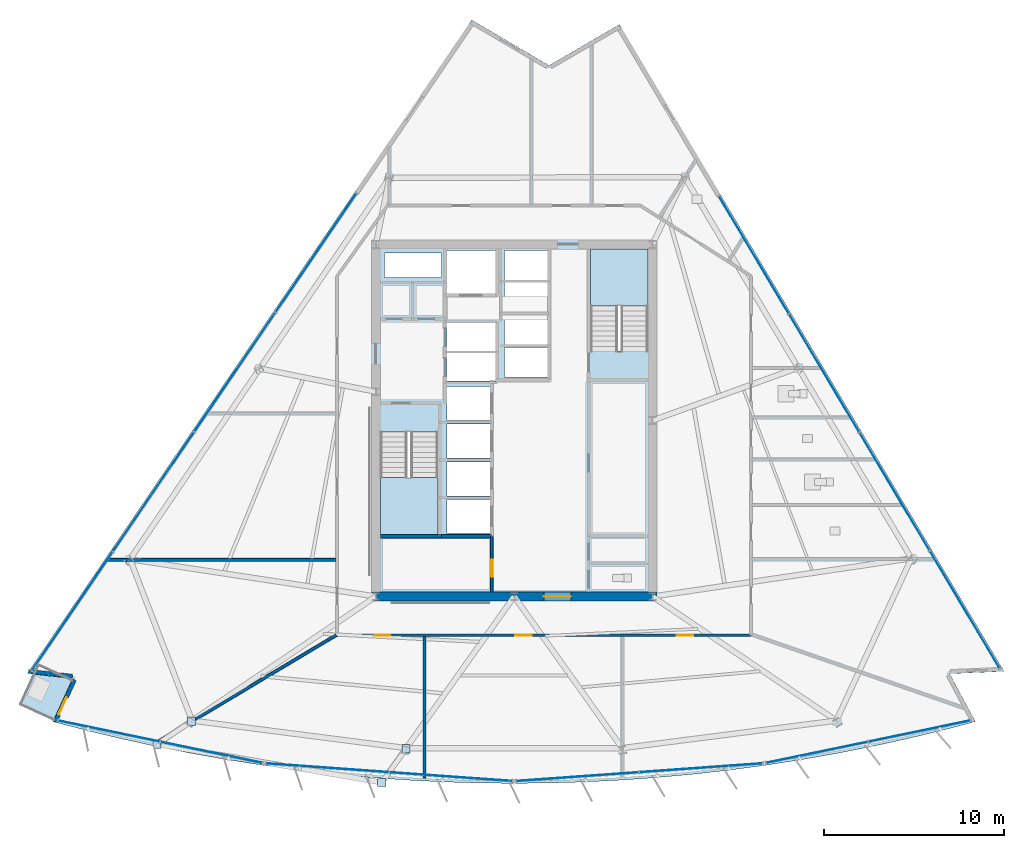
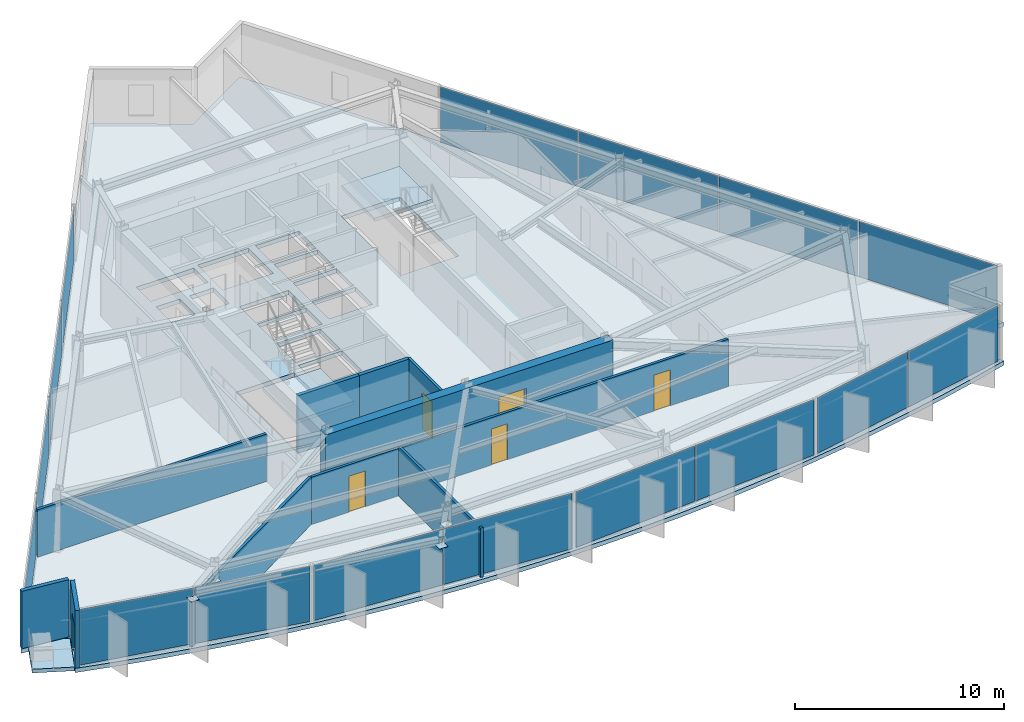
# One storey, part 7 of 15: 20 plates, 10 walls, 6 doors, 4 slabs, 6 openings, 8 elements without a shape of their own.
"""IFC4 building model written with IfcOpenShell, lengths in metres."""

from ifc_helpers import new_model, si_unit, direction, frame, frame_2d, origin, origin_2d, place, context, subcontext, project, spatial, polyline, rectangle, outline, extrude, material, layer, layer_set, type_object, element, fill, aggregate, save


model = new_model("IFC4")

# Units and contexts
model_context = context("Model", 3, precision=1e-05, world=origin(), true_north=direction((0.0, 1.0)))
body_context = subcontext(model_context, "Body", "Model", "MODEL_VIEW")
ifc_project = project(units=[si_unit("LENGTHUNIT", "METRE"), si_unit("AREAUNIT", "SQUARE_METRE"), si_unit("VOLUMEUNIT", "CUBIC_METRE"), si_unit("PLANEANGLEUNIT", "RADIAN"), si_unit("MASSUNIT", "GRAM", prefix="KILO")], contexts=[model_context])

# Site, building, storey
site_placement = place(None, origin())
site = spatial("IfcSite", under=ifc_project, at=site_placement, CompositionType="ELEMENT")
building_placement = place(site_placement, origin())
building = spatial("IfcBuilding", under=site, at=building_placement, Name="Savorim Split Tower", CompositionType="ELEMENT")
storey_placement = place(building_placement, frame((0.0, 0.0, 145.800048828125)))
storey = spatial("IfcBuildingStorey", under=building, at=storey_placement, Name="L38", CompositionType="ELEMENT", Elevation=145.800048828125)

# Curtain wall, plates
ifc_material_1 = material(Name="Dark Ceramic-Fritted Insulated Glass", Category="glass")
curtain_wall_type = type_object("IfcCurtainWallType", Name="CW-TWR-FRIT-A", PredefinedType="NOTDEFINED", material=ifc_material_1)
curtain_wall_1_placement = place(storey_placement, origin())
curtain_wall_1 = element("IfcCurtainWall", 1, at=curtain_wall_1_placement, inside=storey, type_object=curtain_wall_type, Name="L38 Curtain Wall CW-L38-SF1", PredefinedType="NOTDEFINED")
ifc_layer_1 = layer(ifc_material_1, 0.028076171875)
ifc_layer_set_1 = layer_set([ifc_layer_1], Name="CWP-FRITA-28")
plate_type_1 = type_object("IfcPlateType", Name="CWP-FRITA-28", PredefinedType="CURTAIN_PANEL", material=ifc_layer_set_1)
plate_1_placement = place(storey_placement, frame((-22.55322265625, -16.891357421875, 0.05517578125), z_axis=(0.0, 0.0, 1.0), x_axis=(0.979135184824, -0.203209964912, 0.0)))
plate_1 = element("IfcPlate", 2, at=plate_1_placement, type_object=plate_type_1, Name="CW-02 panel 1.1", PredefinedType="CURTAIN_PANEL", context=body_context, shape_type="SweptSolid", body=[
    extrude(rectangle(XDim=5.75390625, YDim=0.028076171875, at=origin_2d()), origin(), (0.0, 0.0, 1.0), 3.239990234375),
])
plate_2_placement = place(storey_placement, frame((-16.85595703125, -18.073974609375, 0.05517578125), z_axis=(0.0, 0.0, 1.0), x_axis=(0.979135184824, -0.203209964912, 0.0)))
plate_2 = element("IfcPlate", 3, at=plate_2_placement, type_object=plate_type_1, Name="CW-02 panel 2.1", PredefinedType="CURTAIN_PANEL", context=body_context, shape_type="SweptSolid", body=[
    extrude(rectangle(XDim=5.75390625, YDim=0.028076171875, at=origin_2d()), origin(), (0.0, 0.0, 1.0), 3.239990234375),
])
aggregate(curtain_wall_1, [plate_1, plate_2])

curtain_wall_2_placement = place(storey_placement, origin())
curtain_wall_2 = element("IfcCurtainWall", 4, at=curtain_wall_2_placement, inside=storey, type_object=curtain_wall_type, Name="L38 Curtain Wall CW-L38-SF2", PredefinedType="NOTDEFINED")
plate_3_placement = place(storey_placement, frame((-10.40087890625, -18.93505859375, 0.05517578125), z_axis=(0.0, 0.0, 1.0), x_axis=(0.997436231017, -0.071560918492, 0.0)))
plate_3 = element("IfcPlate", 5, at=plate_3_placement, type_object=plate_type_1, Name="CW-02 panel 1.1", PredefinedType="CURTAIN_PANEL", context=body_context, shape_type="SweptSolid", body=[
    extrude(rectangle(XDim=6.830810546875, YDim=0.028076171875, at=origin_2d()), origin(), (0.0, 0.0, 1.0), 3.239990234375),
])
plate_4_placement = place(storey_placement, frame((-3.522705078125, -19.428466796875, 0.05517578125), z_axis=(0.0, 0.0, 1.0), x_axis=(0.997436231017, -0.071560918492, 0.0)))
plate_4 = element("IfcPlate", 6, at=plate_4_placement, type_object=plate_type_1, Name="CW-02 panel 2.1", PredefinedType="CURTAIN_PANEL", context=body_context, shape_type="SweptSolid", body=[
    extrude(rectangle(XDim=6.830810546875, YDim=0.028076171875, at=origin_2d()), origin(), (0.0, 0.0, 1.0), 3.239990234375),
])
aggregate(curtain_wall_2, [plate_3, plate_4])

curtain_wall_3_placement = place(storey_placement, origin())
curtain_wall_3 = element("IfcCurtainWall", 7, at=curtain_wall_3_placement, inside=storey, type_object=curtain_wall_type, Name="L38 Curtain Wall CW-L38-SF3", PredefinedType="NOTDEFINED")
plate_5_placement = place(storey_placement, frame((3.522705078125, -19.428466796875, 0.05517578125), z_axis=(0.0, 0.0, 1.0), x_axis=(0.997436231017, 0.071560918492, 0.0)))
plate_5 = element("IfcPlate", 8, at=plate_5_placement, type_object=plate_type_1, Name="CW-02 panel 1.1", PredefinedType="CURTAIN_PANEL", context=body_context, shape_type="SweptSolid", body=[
    extrude(rectangle(XDim=6.830810546875, YDim=0.028076171875, at=origin_2d()), origin(), (0.0, 0.0, 1.0), 3.239990234375),
])
plate_6_placement = place(storey_placement, frame((10.40087890625, -18.93505859375, 0.05517578125), z_axis=(0.0, 0.0, 1.0), x_axis=(0.997436231017, 0.071560918492, 0.0)))
plate_6 = element("IfcPlate", 9, at=plate_6_placement, type_object=plate_type_1, Name="CW-02 panel 2.1", PredefinedType="CURTAIN_PANEL", context=body_context, shape_type="SweptSolid", body=[
    extrude(rectangle(XDim=6.830810546875, YDim=0.028076171875, at=origin_2d()), origin(), (0.0, 0.0, 1.0), 3.239990234375),
])
aggregate(curtain_wall_3, [plate_5, plate_6])

curtain_wall_4_placement = place(storey_placement, origin())
curtain_wall_4 = element("IfcCurtainWall", 10, at=curtain_wall_4_placement, inside=storey, type_object=curtain_wall_type, Name="L38 Curtain Wall CW-L38-SF4", PredefinedType="NOTDEFINED")
plate_7_placement = place(storey_placement, frame((16.85595703125, -18.073974609375, 0.05517578125), z_axis=(0.0, 0.0, 1.0), x_axis=(0.979135184824, 0.203209964912, 0.0)))
plate_7 = element("IfcPlate", 11, at=plate_7_placement, type_object=plate_type_1, Name="CW-02 panel 1.1", PredefinedType="CURTAIN_PANEL", context=body_context, shape_type="SweptSolid", body=[
    extrude(rectangle(XDim=5.75390625, YDim=0.028076171875, at=origin_2d()), origin(), (0.0, 0.0, 1.0), 3.239990234375),
])
plate_8_placement = place(storey_placement, frame((22.55322265625, -16.891357421875, 0.05517578125), z_axis=(0.0, 0.0, 1.0), x_axis=(0.979135184824, 0.203209964912, 0.0)))
plate_8 = element("IfcPlate", 12, at=plate_8_placement, type_object=plate_type_1, Name="CW-02 panel 2.1", PredefinedType="CURTAIN_PANEL", context=body_context, shape_type="SweptSolid", body=[
    extrude(rectangle(XDim=5.75390625, YDim=0.028076171875, at=origin_2d()), origin(), (0.0, 0.0, 1.0), 3.239990234375),
])
aggregate(curtain_wall_4, [plate_7, plate_8])

curtain_wall_5_placement = place(storey_placement, origin())
curtain_wall_5 = element("IfcCurtainWall", 13, at=curtain_wall_5_placement, inside=storey, type_object=curtain_wall_type, Name="L38 Curtain Wall CW-L38-EAST", PredefinedType="NOTDEFINED")
plate_9_placement = place(storey_placement, frame((25.0810546875, -10.131591796875, 0.05517578125), z_axis=(0.0, 0.0, 1.0), x_axis=(-0.511091470039, 0.859526328423, 0.0)))
plate_9 = element("IfcPlate", 14, at=plate_9_placement, type_object=plate_type_1, Name="CW-02 panel 1.1", PredefinedType="CURTAIN_PANEL", context=body_context, shape_type="SweptSolid", body=[
    extrude(rectangle(XDim=7.57177734375, YDim=0.028076171875, at=origin_2d()), origin(), (0.0, 0.0, 1.0), 3.239990234375),
])
plate_10_placement = place(storey_placement, frame((21.169677734375, -3.553466796875, 0.05517578125), z_axis=(0.0, 0.0, 1.0), x_axis=(-0.511091470039, 0.859526328423, 0.0)))
plate_10 = element("IfcPlate", 15, at=plate_10_placement, type_object=plate_type_1, Name="CW-02 panel 2.1", PredefinedType="CURTAIN_PANEL", context=body_context, shape_type="SweptSolid", body=[
    extrude(rectangle(XDim=7.604248046875, YDim=0.028076171875, at=origin_2d()), origin(), (0.0, 0.0, 1.0), 3.239990234375),
])
plate_11_placement = place(storey_placement, frame((17.25, 3.038330078125, 0.05517578125), z_axis=(0.0, 0.0, 1.0), x_axis=(-0.511091470039, 0.859526328423, 0.0)))
plate_11 = element("IfcPlate", 16, at=plate_11_placement, type_object=plate_type_1, Name="CW-02 panel 3.1", PredefinedType="CURTAIN_PANEL", context=body_context, shape_type="SweptSolid", body=[
    extrude(rectangle(XDim=7.604248046875, YDim=0.028076171875, at=origin_2d()), origin(), (0.0, 0.0, 1.0), 3.239990234375),
])
plate_12_placement = place(storey_placement, frame((13.338623046875, 9.6162109375, 0.05517578125), z_axis=(0.0, 0.0, 1.0), x_axis=(-0.511091470039, 0.859526328423, 0.0)))
plate_12 = element("IfcPlate", 17, at=plate_12_placement, type_object=plate_type_1, Name="CW-02 panel 4.1", PredefinedType="CURTAIN_PANEL", context=body_context, shape_type="SweptSolid", body=[
    extrude(rectangle(XDim=7.57177734375, YDim=0.028076171875, at=origin_2d()), origin(), (0.0, 0.0, 1.0), 3.239990234375),
])
aggregate(curtain_wall_5, [plate_9, plate_10, plate_11, plate_12])

curtain_wall_6_placement = place(storey_placement, origin())
curtain_wall_6 = element("IfcCurtainWall", 18, at=curtain_wall_6_placement, inside=storey, type_object=curtain_wall_type, Name="L38 Curtain Wall CW-L38-WEST", PredefinedType="NOTDEFINED")
plate_13_placement = place(storey_placement, frame((-11.025146484375, 9.7373046875, 0.05517578125), z_axis=(0.0, 0.0, 1.0), x_axis=(-0.562466456356, -0.826820104662, 0.0)))
plate_13 = element("IfcPlate", 19, at=plate_13_placement, type_object=plate_type_1, Name="CW-02 panel 1.1", PredefinedType="CURTAIN_PANEL", context=body_context, shape_type="SweptSolid", body=[
    extrude(rectangle(XDim=7.9580078125, YDim=0.028076171875, at=origin_2d()), origin(), (0.0, 0.0, 1.0), 3.239990234375),
])
plate_14_placement = place(storey_placement, frame((-15.547119140625, 3.090087890625, 0.05517578125), z_axis=(0.0, 0.0, 1.0), x_axis=(-0.562466456356, -0.826820104662, 0.0)))
plate_14 = element("IfcPlate", 20, at=plate_14_placement, type_object=plate_type_1, Name="CW-02 panel 2.1", PredefinedType="CURTAIN_PANEL", context=body_context, shape_type="SweptSolid", body=[
    extrude(rectangle(XDim=7.990478515625, YDim=0.028076171875, at=origin_2d()), origin(), (0.0, 0.0, 1.0), 3.239990234375),
])
plate_15_placement = place(storey_placement, frame((-20.077880859375, -3.5703125, 0.05517578125), z_axis=(0.0, 0.0, 1.0), x_axis=(-0.562466456356, -0.826820104662, 0.0)))
plate_15 = element("IfcPlate", 21, at=plate_15_placement, type_object=plate_type_1, Name="CW-02 panel 3.1", PredefinedType="CURTAIN_PANEL", context=body_context, shape_type="SweptSolid", body=[
    extrude(rectangle(XDim=7.990478515625, YDim=0.028076171875, at=origin_2d()), origin(), (0.0, 0.0, 1.0), 3.239990234375),
])
plate_16_placement = place(storey_placement, frame((-24.599853515625, -10.217529296875, 0.05517578125), z_axis=(0.0, 0.0, 1.0), x_axis=(-0.562466456356, -0.826820104662, 0.0)))
plate_16 = element("IfcPlate", 22, at=plate_16_placement, type_object=plate_type_1, Name="CW-02 panel 4.1", PredefinedType="CURTAIN_PANEL", context=body_context, shape_type="SweptSolid", body=[
    extrude(rectangle(XDim=7.9580078125, YDim=0.028076171875, at=origin_2d()), origin(), (0.0, 0.0, 1.0), 3.239990234375),
])
aggregate(curtain_wall_6, [plate_13, plate_14, plate_15, plate_16])

# Plates
ifc_material_2 = material(Name="Steel S460", Category="steel")
ifc_layer_2 = layer(ifc_material_2, 0.02490234375)
ifc_layer_set_2 = layer_set([ifc_layer_2], Name="PLT-NODE-CN1")
plate_type_2 = type_object("IfcPlateType", Name="PLT-NODE-CN1", PredefinedType="SHEET", material=ifc_layer_set_2)
for number, where, z_axis, x_axis, name in (
    (23, (-17.956298828125, -16.34619140625, 2.4375), (0.0, 0.0, 1.0), (1.0, 0.0, 0.0), "L38 Bay Strut Column Gusset Plate 1"),
    (24, (-19.88037109375, -17.622314453125, 2.8076171875), (0.0, 0.0, 1.0), (1.0, 0.0, 0.0), "L38 Bay Strut Tip Gusset Plate 1"),
    (25, (-6.01806640625, -17.87890625, 2.4375), (0.0, 0.0, 1.0), (1.0, 0.0, 0.0), "L38 Bay Strut Column Gusset Plate 2"),
    (26, (-7.37353515625, -19.75244140625, 2.8076171875), (0.0, 0.0, 1.0), (1.0, 0.0, 0.0), "L38 Bay Strut Tip Gusset Plate 2"),
):
    element("IfcPlate", number, at=place(storey_placement, frame(where, z_axis=z_axis, x_axis=x_axis)), inside=storey, type_object=plate_type_2, Name=name, PredefinedType="SHEET", context=body_context, shape_type="SweptSolid", body=[
        extrude(rectangle(XDim=0.4599609375, YDim=0.4599609375, at=origin_2d()), origin(), (0.0, 0.0, 1.0), 0.02490234375),
    ])

# Slab
ifc_material_3 = material(Name="Concrete C50/60", Category="concrete")
ifc_layer_3 = layer(ifc_material_3, 0.219970703125)
ifc_layer_set_3 = layer_set([ifc_layer_3], Name="SLB-BAL-220")
slab_type_1 = type_object("IfcSlabType", Name="SLB-BAL-220", PredefinedType="FLOOR", material=ifc_layer_set_3)
slab_1_placement = place(storey_placement, frame((0.0, 0.0, -0.219970703125)))
element("IfcSlab", 27, at=slab_1_placement, inside=storey, type_object=slab_type_1, Name="L38 Notched Corner Planted Tree Balcony Slab", PredefinedType="FLOOR", context=body_context, shape_type="SweptSolid", body=[
    extrude(outline(polyline([(-25.628173828125, -16.25537109375), (-24.62158203125, -14.06494140625), (-24.93212890625, -13.92236328125), (-26.71533203125, -13.723388671875), (-27.486328125, -15.401611328125), (-25.628173828125, -16.25537109375)])), origin(), (0.0, 0.0, 1.0), 0.219970703125),
])

# Stair, slab
stair_type = type_object("IfcStairType", Name="STR-DOG-3600", PredefinedType="HALF_TURN_STAIR", material=ifc_material_3)
stair_1_placement = place(storey_placement, origin())
stair_1 = element("IfcStair", 28, at=stair_1_placement, inside=storey, type_object=stair_type, Name="L38 Core Protected Exit Stair ST-1", PredefinedType="HALF_TURN_STAIR")
ifc_layer_4 = layer(ifc_material_3, 0.199951171875)
ifc_layer_set_4 = layer_set([ifc_layer_4], Name="SLB-LND-200")
slab_type_2 = type_object("IfcSlabType", Name="SLB-LND-200", PredefinedType="LANDING", material=ifc_layer_set_4)
slab_2_placement = place(storey_placement, frame((0.0, 0.0, 1.599853515625)))
slab_2 = element("IfcSlab", 29, at=slab_2_placement, type_object=slab_type_2, Name="ST-1 landing 1", PredefinedType="LANDING", context=body_context, shape_type="SweptSolid", body=[
    extrude(outline(polyline([(-7.449951171875, -2.77001953125), (-7.449951171875, -5.949951171875), (-4.25, -5.949951171875), (-4.25, -2.77001953125), (-7.449951171875, -2.77001953125)])), origin(), (0.0, 0.0, 1.0), 0.2001953125),
])
aggregate(stair_1, [slab_2])

stair_2_placement = place(storey_placement, origin())
stair_2 = element("IfcStair", 30, at=stair_2_placement, inside=storey, type_object=stair_type, Name="L38 Core Protected Exit Stair ST-2", PredefinedType="HALF_TURN_STAIR")
slab_3_placement = place(storey_placement, frame((0.0, 0.0, 1.599853515625)))
slab_3 = element("IfcSlab", 31, at=slab_3_placement, type_object=slab_type_2, Name="ST-2 landing 1", PredefinedType="LANDING", context=body_context, shape_type="SweptSolid", body=[
    extrude(outline(polyline([(7.449951171875, 6.77001953125), (7.449951171875, 9.949951171875), (4.25, 9.949951171875), (4.25, 6.77001953125), (7.449951171875, 6.77001953125)])), origin(), (0.0, 0.0, 1.0), 0.2001953125),
])
aggregate(stair_2, [slab_3])

# Slab
ifc_layer_5 = layer(ifc_material_3, 0.25)
ifc_layer_set_5 = layer_set([ifc_layer_5], Name="SLB-TWR-250")
slab_type_3 = type_object("IfcSlabType", Name="SLB-TWR-250", PredefinedType="FLOOR", material=ifc_layer_set_5)
slab_4_placement = place(storey_placement, frame((0.0, 0.0, -0.25)))
element("IfcSlab", 32, at=slab_4_placement, inside=storey, type_object=slab_type_3, Name="L38 Structural Floor Slab", PredefinedType="FLOOR", context=body_context, shape_type="SweptSolid", body=[
    extrude(outline(polyline([(-25.673583984375, -16.366455078125), (-23.740234375, -16.8720703125), (-21.797119140625, -17.337890625), (-19.844482421875, -17.763916015625), (-17.8837890625, -18.150146484375), (-15.915771484375, -18.495849609375), (-13.94091796875, -18.801513671875), (-11.960205078125, -19.06640625), (-9.974609375, -19.291015625), (-7.984619140625, -19.474609375), (-5.991455078125, -19.61767578125), (-3.99560546875, -19.7197265625), (-1.998291015625, -19.78125), (0.0, -19.801513671875), (1.998291015625, -19.78125), (3.99560546875, -19.7197265625), (5.991455078125, -19.61767578125), (7.984619140625, -19.474609375), (9.974609375, -19.291015625), (11.960205078125, -19.06640625), (13.94091796875, -18.801513671875), (15.915771484375, -18.495849609375), (17.8837890625, -18.150146484375), (19.844482421875, -17.763916015625), (21.797119140625, -17.337890625), (23.740234375, -16.8720703125), (25.673583984375, -16.366455078125), (24.24169921875, -13.69775390625), (27.2646484375, -13.569091796875), (5.852294921875, 22.44091796875), (1.943603515625, 20.162841796875), (-2.358154296875, 22.69091796875), (-27.097412109375, -13.675537109375), (-24.567138671875, -13.9580078125), (-25.673583984375, -16.366455078125)]), holes=[polyline([(-7.449951171875, -0.25390625), (-7.449951171875, -5.949951171875), (-4.25, -5.949951171875), (-4.25, -0.25390625), (-7.449951171875, -0.25390625)]), polyline([(7.449951171875, 4.25390625), (7.449951171875, 9.949951171875), (4.25, 9.949951171875), (4.25, 4.25390625), (7.449951171875, 4.25390625)]), polyline([(-3.75, -5.89990234375), (-1.35009765625, -5.89990234375), (-1.35009765625, -4.0), (-3.75, -4.0), (-3.75, -5.89990234375)]), polyline([(-3.75, -3.800048828125), (-1.35009765625, -3.800048828125), (-1.35009765625, -1.89990234375), (-3.75, -1.89990234375), (-3.75, -3.800048828125)]), polyline([(-3.75, -1.699951171875), (-1.35009765625, -1.699951171875), (-1.35009765625, 0.199951171875), (-3.75, 0.199951171875), (-3.75, -1.699951171875)]), polyline([(-3.75, 0.39990234375), (-1.35009765625, 0.39990234375), (-1.35009765625, 2.300048828125), (-3.75, 2.300048828125), (-3.75, 0.39990234375)]), polyline([(-0.550048828125, 2.830078125), (1.85009765625, 2.830078125), (1.85009765625, 4.469970703125), (-0.550048828125, 4.469970703125), (-0.550048828125, 2.830078125)]), polyline([(-0.550048828125, 4.6298828125), (1.85009765625, 4.6298828125), (1.85009765625, 6.27001953125), (-0.550048828125, 6.27001953125), (-0.550048828125, 4.6298828125)]), polyline([(-0.550048828125, 6.429931640625), (1.85009765625, 6.429931640625), (1.85009765625, 8.070068359375), (-0.550048828125, 8.070068359375), (-0.550048828125, 6.429931640625)]), polyline([(-0.550048828125, 8.22998046875), (1.85009765625, 8.22998046875), (1.85009765625, 9.8701171875), (-0.550048828125, 9.8701171875), (-0.550048828125, 8.22998046875)]), polyline([(-3.75, 2.60009765625), (-1.050048828125, 2.60009765625), (-1.050048828125, 4.159912109375), (-3.75, 4.159912109375), (-3.75, 2.60009765625)]), polyline([(-3.75, 4.280029296875), (-1.050048828125, 4.280029296875), (-1.050048828125, 5.840087890625), (-3.75, 5.840087890625), (-3.75, 4.280029296875)]), polyline([(-3.75, 7.449951171875), (-0.949951171875, 7.449951171875), (-0.949951171875, 9.85009765625), (-3.75, 9.85009765625), (-3.75, 7.449951171875)]), polyline([(-7.219970703125, 6.320068359375), (-5.919921875, 6.320068359375), (-5.919921875, 7.820068359375), (-7.219970703125, 7.820068359375), (-7.219970703125, 6.320068359375)]), polyline([(-5.3798828125, 6.320068359375), (-4.050048828125, 6.320068359375), (-4.050048828125, 7.820068359375), (-5.3798828125, 7.820068359375), (-5.3798828125, 6.320068359375)]), polyline([(-7.219970703125, 8.360107421875), (-4.050048828125, 8.360107421875), (-4.050048828125, 9.719970703125), (-7.219970703125, 9.719970703125), (-7.219970703125, 8.360107421875)])]), origin(), (0.0, 0.0, 1.0), 0.25),
])

# Wall, opening, door
ifc_material_4 = material(Name="Concrete C60/75", Category="concrete")
ifc_layer_6 = layer(ifc_material_4, 0.5)
ifc_layer_set_6 = layer_set([ifc_layer_6], Name="WAL-COR-SH500")
wall_type_1 = type_object("IfcWallType", Name="WAL-COR-SH500", PredefinedType="SHEAR", material=ifc_layer_set_6)
wall_1_placement = place(storey_placement, frame((-7.949951171875, -9.39990234375, 0.0), z_axis=(0.0, 0.0, 1.0), x_axis=(1.0, 0.0, 0.0)))
wall_1 = element("IfcWall", 33, at=wall_1_placement, inside=storey, type_object=wall_type_1, Name="L38 Offset Core South Shear Wall", PredefinedType="SHEAR", context=body_context, shape_type="SweptSolid", body=[
    extrude(rectangle(XDim=15.89990234375, YDim=0.5, at=frame_2d((7.949951171875, 0.0))), origin(), (0.0, 0.0, 1.0), 3.349853515625),
])
opening_1_placement = place(wall_1_placement, frame((9.60009765625, 0.0, 0.0)))
opening_1 = element("IfcOpeningElement", 34, at=opening_1_placement, cuts=wall_1, Name="Opening DI-02", PredefinedType="OPENING", context=body_context, shape_type="SweptSolid", body=[
    extrude(rectangle(XDim=1.5, YDim=2.199951171875, at=frame_2d((0.75, 1.10009765625))), frame((0.0, 0.260009765625, 0.0), z_axis=(0.0, -1.0, 0.0), x_axis=(1.0, 0.0, 0.0)), (0.0, 0.0, 1.0), 0.52001953125),
])
ifc_material_5 = material(Name="Timber Fire Door Leaf", Category="wood")
door_type_1 = type_object("IfcDoorType", Name="DOR-DBL-1500", OperationType="NOTDEFINED", PredefinedType="DOOR", material=ifc_material_5)
door_1_placement = place(opening_1_placement, origin())
door_1 = element("IfcDoor", 35, at=door_1_placement, inside=storey, type_object=door_type_1, Name="DOR-L38-COR-LLOB - L38 Lift Lobby Main Rated Door", OperationType="DOUBLE_DOOR_SINGLE_SWING", OverallHeight=2.199951171875, OverallWidth=1.5, PredefinedType="DOOR", context=body_context, shape_type="SweptSolid", body=[
    extrude(rectangle(XDim=1.5, YDim=2.199951171875, at=frame_2d((0.75, 1.10009765625))), frame((0.0, 0.02490234375, 0.0), z_axis=(0.0, -1.0, 0.0), x_axis=(1.0, 0.0, 0.0)), (0.0, 0.0, 1.0), 0.050048828125),
])
fill(opening_1, door_1)

# Wall
ifc_material_6 = material(Name="Precast concrete C40/50", Category="concrete")
ifc_layer_7 = layer(ifc_material_6, 0.219970703125)
ifc_layer_set_7 = layer_set([ifc_layer_7], Name="WAL-EXT-CRN220")
wall_type_2 = type_object("IfcWallType", Name="WAL-EXT-CRN220", PredefinedType="SOLIDWALL", material=ifc_layer_set_7)
wall_2_placement = place(storey_placement, frame((-24.593505859375, -13.83447265625, 0.0), z_axis=(0.0, 0.0, 1.0), x_axis=(-0.993823222634, 0.110974781609, 0.0)))
element("IfcWall", 36, at=wall_2_placement, inside=storey, type_object=wall_type_2, Name="L38 Notched Corner Facade Wall SW1", PredefinedType="SOLIDWALL", context=body_context, shape_type="SweptSolid", body=[
    extrude(rectangle(XDim=2.466064453125, YDim=0.219970703125, at=frame_2d((1.23291015625, 0.0))), origin(), (0.0, 0.0, 1.0), 3.349853515625),
])

# Wall, opening, door
wall_3_placement = place(storey_placement, frame((-25.5478515625, -16.380126953125, 0.0), z_axis=(0.0, 0.0, 1.0), x_axis=(0.417449299542, 0.908700215864, 0.0)))
wall_3 = element("IfcWall", 37, at=wall_3_placement, inside=storey, type_object=wall_type_2, Name="L38 Notched Corner Facade Wall SW", PredefinedType="SOLIDWALL", context=body_context, shape_type="SweptSolid", body=[
    extrude(rectangle(XDim=2.5703125, YDim=0.219970703125, at=frame_2d((1.28515625, 0.0))), origin(), (0.0, 0.0, 1.0), 3.349853515625),
])
opening_2_placement = place(wall_3_placement, frame((0.460205078125, 0.0, 0.0)))
opening_2 = element("IfcOpeningElement", 38, at=opening_2_placement, cuts=wall_3, Name="Opening DB-01", PredefinedType="OPENING", context=body_context, shape_type="SweptSolid", body=[
    extrude(rectangle(XDim=1.050048828125, YDim=2.14990234375, at=frame_2d((0.52490234375, 1.074951171875))), frame((0.0, 0.119873046875, 0.0), z_axis=(0.0, -1.0, 0.0), x_axis=(1.0, 0.0, 0.0)), (0.0, 0.0, 1.0), 0.239990234375),
])
ifc_material_7 = material(Name="Charcoal Anodised Aluminium", Category="aluminium")
door_type_2 = type_object("IfcDoorType", Name="DOR-BAL-1050", OperationType="NOTDEFINED", PredefinedType="DOOR", material=ifc_material_7)
door_2_placement = place(opening_2_placement, origin())
door_2 = element("IfcDoor", 39, at=door_2_placement, inside=storey, type_object=door_type_2, Name="DOR-L38-TBAL-SW - L38 Planted Tree Balcony Door SW", OperationType="SINGLE_SWING_LEFT", OverallHeight=2.14990234375, OverallWidth=1.050048828125, PredefinedType="DOOR", context=body_context, shape_type="SweptSolid", body=[
    extrude(rectangle(XDim=1.050048828125, YDim=2.14990234375, at=frame_2d((0.52490234375, 1.074951171875))), frame((0.0, 0.02490234375, 0.0), z_axis=(0.0, -1.0, 0.0), x_axis=(1.0, 0.0, 0.0)), (0.0, 0.0, 1.0), 0.050048828125),
])
fill(opening_2, door_2)

# Walls
ifc_layer_8 = layer(ifc_material_3, 0.199951171875)
ifc_layer_set_8 = layer_set([ifc_layer_8], Name="WAL-INT-RC200")
wall_type_3 = type_object("IfcWallType", Name="WAL-INT-RC200", PredefinedType="SOLIDWALL", material=ifc_layer_set_8)
wall_4_placement = place(storey_placement, frame((-7.449951171875, -6.050048828125, 0.0), z_axis=(0.0, 0.0, 1.0), x_axis=(1.0, 0.0, 0.0)))
element("IfcWall", 40, at=wall_4_placement, inside=storey, type_object=wall_type_3, Name="L38 Structural Shaft Wall W-L38-KSEP-W", PredefinedType="SOLIDWALL", context=body_context, shape_type="SweptSolid", body=[
    extrude(rectangle(XDim=3.39990234375, YDim=0.199951171875, at=frame_2d((1.699951171875, 0.0))), origin(), (0.0, 0.0, 1.0), 3.349853515625),
])
wall_5_placement = place(storey_placement, frame((-4.0400390625, -6.050048828125, 0.0), z_axis=(0.0, 0.0, 1.0), x_axis=(1.0, 0.0, 0.0)))
element("IfcWall", 41, at=wall_5_placement, inside=storey, type_object=wall_type_3, Name="L38 Partition W-L38-KSEP-W2", PredefinedType="SOLIDWALL", context=body_context, shape_type="SweptSolid", body=[
    extrude(rectangle(XDim=2.7900390625, YDim=0.199951171875, at=frame_2d((1.39501953125, 0.0))), origin(), (0.0, 0.0, 1.0), 3.349853515625),
])

# Wall, opening, door
ifc_material_8 = material(Name="Acoustic Gypsum Partition Board")
ifc_layer_9 = layer(ifc_material_8, 0.14990234375)
ifc_layer_set_9 = layer_set([ifc_layer_9], Name="WAL-PAR-150")
wall_type_4 = type_object("IfcWallType", Name="WAL-PAR-150", PredefinedType="PARTITIONING", material=ifc_layer_set_9)
wall_6_placement = place(storey_placement, frame((-1.25, -9.14501953125, 0.0), z_axis=(0.0, 0.0, 1.0), x_axis=(0.0, 1.0, 0.0)))
wall_6 = element("IfcWall", 42, at=wall_6_placement, inside=storey, type_object=wall_type_4, Name="L38 Partition W-L38-KLOB-W", PredefinedType="PARTITIONING", context=body_context, shape_type="SweptSolid", body=[
    extrude(rectangle(XDim=3.094970703125, YDim=0.14990234375, at=frame_2d((1.54736328125, 0.0))), origin(), (0.0, 0.0, 1.0), 3.349853515625),
])
opening_3_placement = place(wall_6_placement, frame((0.844970703125, 0.0, 0.0)))
opening_3 = element("IfcOpeningElement", 43, at=opening_3_placement, cuts=wall_6, Name="Opening DI-05", PredefinedType="OPENING", context=body_context, shape_type="SweptSolid", body=[
    extrude(rectangle(XDim=0.949951171875, YDim=2.10009765625, at=frame_2d((0.47509765625, 1.050048828125))), frame((0.0, 0.0849609375, 0.0), z_axis=(0.0, -1.0, 0.0), x_axis=(1.0, 0.0, 0.0)), (0.0, 0.0, 1.0), 0.169921875),
])
door_type_3 = type_object("IfcDoorType", Name="DOR-FIR-950", OperationType="NOTDEFINED", PredefinedType="DOOR", material=ifc_material_5)
door_3_placement = place(opening_3_placement, origin())
door_3 = element("IfcDoor", 44, at=door_3_placement, inside=storey, type_object=door_type_3, Name="DR-L38-K3LIN - L38 Housekeeping Store Door", OperationType="SINGLE_SWING_LEFT", OverallHeight=2.10009765625, OverallWidth=0.949951171875, PredefinedType="DOOR", context=body_context, shape_type="SweptSolid", body=[
    extrude(rectangle(XDim=0.949951171875, YDim=2.10009765625, at=frame_2d((0.47509765625, 1.050048828125))), frame((0.0, 0.02490234375, 0.0), z_axis=(0.0, -1.0, 0.0), x_axis=(1.0, 0.0, 0.0)), (0.0, 0.0, 1.0), 0.050048828125),
])
fill(opening_3, door_3)

# Wall, openings, doors
wall_7_placement = place(storey_placement, frame((13.179931640625, -11.56005859375, 0.0), z_axis=(0.0, 0.0, 1.0), x_axis=(-1.0, 0.0, 0.0)))
wall_7 = element("IfcWall", 45, at=wall_7_placement, inside=storey, type_object=wall_type_4, Name="L38 Partition W-L38-COR-06", PredefinedType="PARTITIONING", context=body_context, shape_type="SweptSolid", body=[
    extrude(rectangle(XDim=23.0400390625, YDim=0.14990234375, at=frame_2d((11.52001953125, 0.0))), origin(), (0.0, 0.0, 1.0), 2.77490234375),
])
opening_4_placement = place(wall_7_placement, frame((20.066162109375, 0.0, 0.0)))
opening_4 = element("IfcOpeningElement", 46, at=opening_4_placement, cuts=wall_7, Name="Opening DI-06", PredefinedType="OPENING", context=body_context, shape_type="SweptSolid", body=[
    extrude(rectangle(XDim=0.89990234375, YDim=2.10009765625, at=frame_2d((0.449951171875, 1.050048828125))), frame((0.0, 0.0849609375, 0.0), z_axis=(0.0, -1.0, 0.0), x_axis=(1.0, 0.0, 0.0)), (0.0, 0.0, 1.0), 0.169921875),
])
opening_5_placement = place(wall_7_placement, frame((12.214111328125, 0.0, 0.0)))
opening_5 = element("IfcOpeningElement", 47, at=opening_5_placement, cuts=wall_7, Name="Opening DI-06", PredefinedType="OPENING", context=body_context, shape_type="SweptSolid", body=[
    extrude(rectangle(XDim=0.89990234375, YDim=2.10009765625, at=frame_2d((0.449951171875, 1.050048828125))), frame((0.0, 0.0849609375, 0.0), z_axis=(0.0, -1.0, 0.0), x_axis=(1.0, 0.0, 0.0)), (0.0, 0.0, 1.0), 0.169921875),
])
opening_6_placement = place(wall_7_placement, frame((3.2177734375, 0.0, 0.0)))
opening_6 = element("IfcOpeningElement", 48, at=opening_6_placement, cuts=wall_7, Name="Opening DI-06", PredefinedType="OPENING", context=body_context, shape_type="SweptSolid", body=[
    extrude(rectangle(XDim=0.89990234375, YDim=2.10009765625, at=frame_2d((0.449951171875, 1.050048828125))), frame((0.0, 0.0849609375, 0.0), z_axis=(0.0, -1.0, 0.0), x_axis=(1.0, 0.0, 0.0)), (0.0, 0.0, 1.0), 0.169921875),
])
door_type_4 = type_object("IfcDoorType", Name="DOR-FIR-900", OperationType="NOTDEFINED", PredefinedType="DOOR", material=ifc_material_5)
door_4_placement = place(opening_4_placement, origin())
door_4 = element("IfcDoor", 49, at=door_4_placement, inside=storey, type_object=door_type_4, Name="DR-L38-RM03 - L38 Co-Working Commons Entry Door", OperationType="SINGLE_SWING_RIGHT", OverallHeight=2.10009765625, OverallWidth=0.89990234375, PredefinedType="DOOR", context=body_context, shape_type="SweptSolid", body=[
    extrude(rectangle(XDim=0.89990234375, YDim=2.10009765625, at=frame_2d((0.449951171875, 1.050048828125))), frame((0.0, 0.02490234375, 0.0), z_axis=(0.0, -1.0, 0.0), x_axis=(1.0, 0.0, 0.0)), (0.0, 0.0, 1.0), 0.050048828125),
])
fill(opening_4, door_4)
door_5_placement = place(opening_5_placement, origin())
door_5 = element("IfcDoor", 50, at=door_5_placement, inside=storey, type_object=door_type_4, Name="DR-L38-RM04 - L38 Maker Workshop Entry Door", OperationType="SINGLE_SWING_LEFT", OverallHeight=2.10009765625, OverallWidth=0.89990234375, PredefinedType="DOOR", context=body_context, shape_type="SweptSolid", body=[
    extrude(rectangle(XDim=0.89990234375, YDim=2.10009765625, at=frame_2d((0.449951171875, 1.050048828125))), frame((0.0, 0.02490234375, 0.0), z_axis=(0.0, -1.0, 0.0), x_axis=(1.0, 0.0, 0.0)), (0.0, 0.0, 1.0), 0.050048828125),
])
fill(opening_5, door_5)
door_6_placement = place(opening_6_placement, origin())
door_6 = element("IfcDoor", 51, at=door_6_placement, inside=storey, type_object=door_type_4, Name="DR-L38-RM05 - L38 Co-Working Commons Entry Door", OperationType="SINGLE_SWING_RIGHT", OverallHeight=2.10009765625, OverallWidth=0.89990234375, PredefinedType="DOOR", context=body_context, shape_type="SweptSolid", body=[
    extrude(rectangle(XDim=0.89990234375, YDim=2.10009765625, at=frame_2d((0.449951171875, 1.050048828125))), frame((0.0, 0.02490234375, 0.0), z_axis=(0.0, -1.0, 0.0), x_axis=(1.0, 0.0, 0.0)), (0.0, 0.0, 1.0), 0.050048828125),
])
fill(opening_6, door_6)

# Walls
wall_8_placement = place(storey_placement, frame((-9.903076171875, -11.5458984375, 0.0), z_axis=(0.0, 0.0, 1.0), x_axis=(-0.858336745587, -0.513086767687, 0.0)))
element("IfcWall", 52, at=wall_8_placement, inside=storey, type_object=wall_type_4, Name="L38 Partition W-L38-PRAD01", PredefinedType="PARTITIONING", context=body_context, shape_type="SweptSolid", body=[
    extrude(rectangle(XDim=11.727294921875, YDim=0.14990234375, at=frame_2d((5.86376953125, 0.0))), origin(), (0.0, 0.0, 1.0), 2.77490234375),
])
wall_9_placement = place(storey_placement, frame((-9.919921875, -7.36328125, 0.0), z_axis=(0.0, 0.0, 1.0), x_axis=(-1.0, 0.0, 0.0)))
element("IfcWall", 53, at=wall_9_placement, inside=storey, type_object=wall_type_4, Name="L38 Partition W-L38-PRAD10", PredefinedType="PARTITIONING", context=body_context, shape_type="SweptSolid", body=[
    extrude(rectangle(XDim=12.677734375, YDim=0.14990234375, at=frame_2d((6.3388671875, 0.0))), origin(), (0.0, 0.0, 1.0), 2.77490234375),
])
wall_10_placement = place(storey_placement, frame((-4.99072265625, -11.6201171875, 0.0), z_axis=(0.0, 0.0, 1.0), x_axis=(0.0, -1.0, 0.0)))
element("IfcWall", 54, at=wall_10_placement, inside=storey, type_object=wall_type_4, Name="L38 Partition W-L38-SUB05", PredefinedType="PARTITIONING", context=body_context, shape_type="SweptSolid", body=[
    extrude(rectangle(XDim=7.87841796875, YDim=0.14990234375, at=frame_2d((3.939208984375, 0.0))), origin(), (0.0, 0.0, 1.0), 2.875),
])

save(model, "model.ifc")
